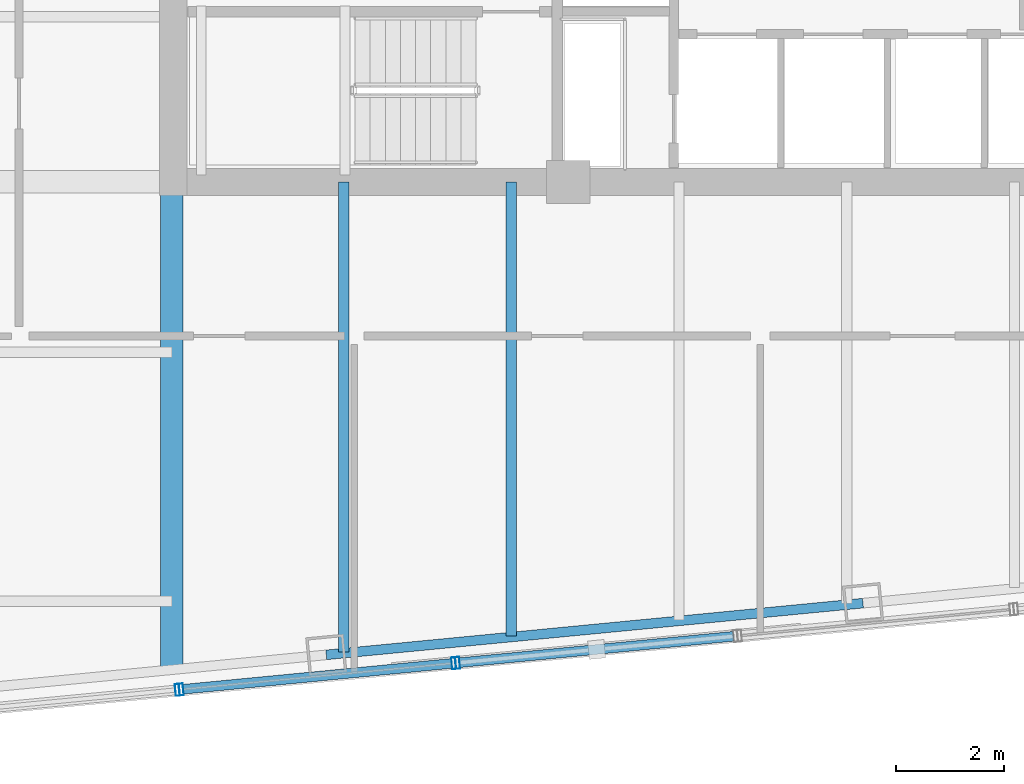
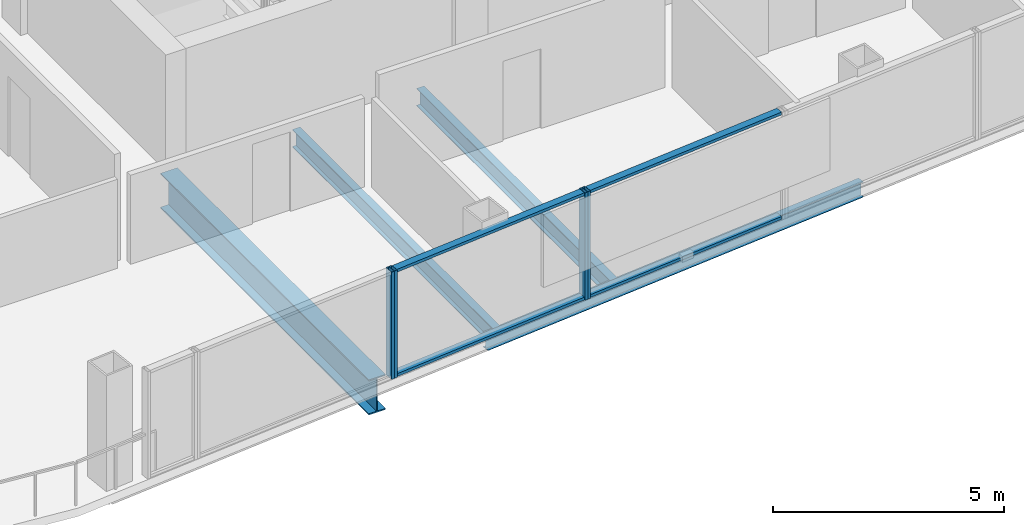
# One storey, part 4 of 29: 8 members, 4 beams, 3 elements without a shape of their own.
"""IFC4 building model written with IfcOpenShell, lengths in metres."""

import ifcopenshell
import ifcopenshell.guid

model = None  # the IFC model being written
_history = None  # IfcOwnerHistory: only IFC2X3 demands one
_inside = {}  # id of a spatial element -> (the spatial element, [elements in it])
_under = {}  # id of a project, library or spatial element -> (it, [spatial elements below it])
_declared = {}  # id of a project -> (the project, [libraries it declares])
_typed = {}  # id of a type object -> (the type object, [elements of that type])
_made_of = {}  # id of a material, layer set ... -> (it, [elements and type objects made of it])


def new_model(schema):
    """Start an empty IFC model of exactly this schema.

    Asked for "IFC4X3", IfcOpenShell would pick the latest addendum, in which some entities
    have other attributes; the version numbers below select the first issue.
    IFC2X3 requires an IfcOwnerHistory on every rooted entity: one is made here for all.
    """
    global model, _history
    if schema == "IFC4X3":
        model = ifcopenshell.file(schema_version=(4, 3, 0, 0))
    else:
        model = ifcopenshell.file(schema=schema)
    _inside.clear()
    _under.clear()
    _declared.clear()
    _typed.clear()
    _made_of.clear()
    _history = None
    if model.schema == "IFC2X3":
        org = make("IfcOrganization", Name="unknown")
        user = make(
            "IfcPersonAndOrganization",
            ThePerson=make("IfcPerson", FamilyName="unknown"),
            TheOrganization=org,
        )
        app = make(
            "IfcApplication",
            ApplicationDeveloper=org,
            Version="unknown",
            ApplicationFullName="unknown",
            ApplicationIdentifier="unknown",
        )
        _history = make(
            "IfcOwnerHistory",
            OwningUser=user,
            OwningApplication=app,
            ChangeAction="ADDED",
            CreationDate=0,
        )
    return model


def make(cls, **values):
    """One entity of the class cls with the attributes given. An attribute that is None is left unset."""
    return model.create_entity(
        cls, **{name: value for name, value in values.items() if value is not None}
    )


def rooted(cls, **values):
    """An entity with a GlobalId (a new one), such as an element, a storey or a relation."""
    return make(cls, GlobalId=ifcopenshell.guid.new(), OwnerHistory=_history, **values)


def si_unit(unit_type, name, prefix=None):
    """IfcSIUnit, for example si_unit("LENGTHUNIT", "METRE", prefix="MILLI")."""
    return make("IfcSIUnit", UnitType=unit_type, Prefix=prefix, Name=name)


def assignment(units):
    """IfcUnitAssignment: the units of a project."""
    return None if units is None else make("IfcUnitAssignment", Units=units)


def point(xyz):
    """IfcCartesianPoint."""
    return None if xyz is None else make("IfcCartesianPoint", Coordinates=xyz)


def direction(xyz):
    """IfcDirection."""
    return None if xyz is None else make("IfcDirection", DirectionRatios=xyz)


def frame(location, z_axis=None, x_axis=None):
    """IfcAxis2Placement3D, a coordinate frame: its origin and axes. An axis left out is left unset."""
    return make(
        "IfcAxis2Placement3D",
        Location=point(location),
        Axis=direction(z_axis),
        RefDirection=direction(x_axis),
    )


def frame_2d(location, x_axis=None):
    """IfcAxis2Placement2D, a coordinate frame in the plane: its origin and x axis."""
    return make(
        "IfcAxis2Placement2D", Location=point(location), RefDirection=direction(x_axis)
    )


def origin():
    """The frame at (0, 0, 0) with its axes left unset."""
    return frame((0.0, 0.0, 0.0))


def origin_2d():
    """The frame at (0, 0) in the plane with its x axis left unset."""
    return frame_2d((0.0, 0.0))


def place(relative_to, where):
    """IfcLocalPlacement: puts the frame where relative to a parent placement (None: the world)."""
    return make(
        "IfcLocalPlacement", PlacementRelTo=relative_to, RelativePlacement=where
    )


def context(
    kind, dimensions, precision=None, world=None, true_north=None, identifier=None
):
    """IfcGeometricRepresentationContext, for example the 3D "Model" context."""
    return make(
        "IfcGeometricRepresentationContext",
        ContextIdentifier=identifier,
        ContextType=kind,
        CoordinateSpaceDimension=dimensions,
        Precision=precision,
        WorldCoordinateSystem=world,
        TrueNorth=true_north,
    )


def subcontext(parent, identifier, kind, view, scale=None):
    """IfcGeometricRepresentationSubContext, for example "Body" below "Model"."""
    return make(
        "IfcGeometricRepresentationSubContext",
        ContextIdentifier=identifier,
        ContextType=kind,
        ParentContext=parent,
        TargetScale=scale,
        TargetView=view,
    )


def project(units=None, contexts=None):
    """IfcProject with its units and contexts."""
    return rooted(
        "IfcProject",
        Name="project",
        RepresentationContexts=contexts,
        UnitsInContext=assignment(units),
    )


def spatial(cls, under=None, at=None, **own):
    """A site, building, storey or space (cls), placed at a placement, below another one or the project."""
    s = rooted(cls, ObjectPlacement=at, **own)
    if under is not None:
        _under.setdefault(under.id(), (under, []))[1].append(s)
    return s


def profile(cls, at=None, kind="AREA", **sizes):
    """A parametric profile (cls). Its sizes go by their IFC names, for example OverallWidth=200.0."""
    return make(cls, ProfileType=kind, Position=at, **sizes)


def hollow_rectangle(**sizes):
    """IfcRectangleHollowProfileDef."""
    return profile("IfcRectangleHollowProfileDef", **sizes)


def i_section(**sizes):
    """IfcIShapeProfileDef."""
    return profile("IfcIShapeProfileDef", **sizes)


def extrude(swept, where, along, depth):
    """IfcExtrudedAreaSolid: the profile swept, set in the frame where, extruded along a direction by depth."""
    return make(
        "IfcExtrudedAreaSolid",
        SweptArea=swept,
        Position=where,
        ExtrudedDirection=direction(along),
        Depth=depth,
    )


def shape(context_of_items, identifier, shape_type, items):
    """IfcShapeRepresentation: the items that make up one representation, for example the "Body"."""
    return make(
        "IfcShapeRepresentation",
        ContextOfItems=context_of_items,
        RepresentationIdentifier=identifier,
        RepresentationType=shape_type,
        Items=items,
    )


def material(Name=None, Category=None):
    """IfcMaterial."""
    return make("IfcMaterial", Name=Name, Category=Category)


def layer(
    of_material, thickness, ventilated=None, Name=None, Category=None, Priority=None
):
    """IfcMaterialLayer: one layer of a wall or slab, of a material (None: an air gap)."""
    return make(
        "IfcMaterialLayer",
        Material=of_material,
        LayerThickness=thickness,
        IsVentilated=ventilated,
        Name=Name,
        Category=Category,
        Priority=Priority,
    )


def layer_set(layers, Name=None):
    """IfcMaterialLayerSet."""
    return make("IfcMaterialLayerSet", MaterialLayers=layers, LayerSetName=Name)


def material_profile(
    of_material, cross_section, Name=None, Category=None, Priority=None
):
    """IfcMaterialProfile: a cross section and its material."""
    return make(
        "IfcMaterialProfile",
        Name=Name,
        Material=of_material,
        Profile=cross_section,
        Priority=Priority,
        Category=Category,
    )


def profile_set(profiles, Name=None, composite=None):
    """IfcMaterialProfileSet."""
    return make(
        "IfcMaterialProfileSet",
        Name=Name,
        MaterialProfiles=profiles,
        CompositeProfile=composite,
    )


def made_of(thing, what):
    """Note that an element or type object is made of a material, layer set ...; save() writes the relation."""
    if what is not None:
        _made_of.setdefault(what.id(), (what, []))[1].append(thing)
    return thing


def type_object(cls, material=None, **own):
    """A type object (cls), such as IfcWallType, which elements share."""
    return made_of(rooted(cls, **own), material)


def element(
    cls,
    number,
    at=None,
    inside=None,
    cuts=None,
    type_object=None,
    material=None,
    context=None,
    identifier="Body",
    shape_type=None,
    held_by="IfcProductDefinitionShape",
    body=None,
    shapes=None,
    **own,
):
    """One element of the class cls, such as IfcWall. Its Tag is "e" and its number.

    at: its placement. inside: the storey or other place that contains it. cuts: it is an
    opening in that element (IfcRelVoidsElement). A single representation is given by context,
    identifier, shape_type and body (its items); several are given by shapes. held_by: the class
    of the entity that holds the representations. save() writes the other relations.
    """
    e = rooted(cls, Tag="e%d" % number, ObjectPlacement=at, **own)
    if body is not None:
        shapes = [shape(context, identifier, shape_type, body)]
    if shapes is not None:
        e.Representation = make(held_by, Representations=shapes)
    if inside is not None:
        _inside.setdefault(inside.id(), (inside, []))[1].append(e)
    if cuts is not None:
        rooted(
            "IfcRelVoidsElement", RelatingBuildingElement=cuts, RelatedOpeningElement=e
        )
    if type_object is not None:
        _typed.setdefault(type_object.id(), (type_object, []))[1].append(e)
    return made_of(e, material)


def aggregate(whole, parts):
    """IfcRelAggregates: a whole, such as a stair, and the parts it consists of."""
    return rooted("IfcRelAggregates", RelatingObject=whole, RelatedObjects=parts)


def save(model, path):
    """Write the relations noted so far, then the file.

    IfcRelAggregates (storeys below a building ...), IfcRelContainedInSpatialStructure (elements
    in a storey), IfcRelDefinesByType, IfcRelAssociatesMaterial and IfcRelDeclares: one each for
    every whole, place, type object, material and project.
    """
    for whole, parts in _under.values():
        aggregate(whole, parts)
    for where, things in _inside.values():
        rooted(
            "IfcRelContainedInSpatialStructure",
            RelatedElements=things,
            RelatingStructure=where,
        )
    for kind, things in _typed.values():
        rooted("IfcRelDefinesByType", RelatedObjects=things, RelatingType=kind)
    for what, things in _made_of.values():
        rooted("IfcRelAssociatesMaterial", RelatedObjects=things, RelatingMaterial=what)
    for by, libraries in _declared.values():
        rooted("IfcRelDeclares", RelatingContext=by, RelatedDefinitions=libraries)
    model.write(path)


model = new_model("IFC4")

# Units and contexts
model_context = context("Model", 3, precision=1e-05, world=origin(), true_north=direction((0.0, 1.0)))
body_context = subcontext(model_context, "Body", "Model", "MODEL_VIEW")
ifc_project = project(units=[si_unit("LENGTHUNIT", "METRE"), si_unit("AREAUNIT", "SQUARE_METRE"), si_unit("VOLUMEUNIT", "CUBIC_METRE"), si_unit("PLANEANGLEUNIT", "RADIAN"), si_unit("MASSUNIT", "GRAM", prefix="KILO")], contexts=[model_context])

# Site, building, storey
site_placement = place(None, origin())
site = spatial("IfcSite", under=ifc_project, at=site_placement, CompositionType="ELEMENT")
building_placement = place(site_placement, origin())
building = spatial("IfcBuilding", under=site, at=building_placement, Name="Qhalaya Broadcast Tower", CompositionType="ELEMENT")
storey_placement = place(building_placement, frame((0.0, 0.0, 177.5)))
storey = spatial("IfcBuildingStorey", under=building, at=storey_placement, Name="L52", CompositionType="ELEMENT", Elevation=177.5)

# Beams
ifc_material_1 = material(Name="Structural Steel ASTM A992 Grade 50", Category="steel")
ifc_material_profile_1 = material_profile(ifc_material_1, i_section(OverallWidth=0.19189453125, OverallDepth=0.462890625, WebThickness=0.010498046875, FlangeThickness=0.017578125, at=origin_2d()), Name="W18X60")
ifc_profile_set_1 = profile_set([ifc_material_profile_1], Name="Structural Steel ASTM A992 Grade 50")
beam_type_1 = type_object("IfcBeamType", Name="Composite Floor Joist J03", PredefinedType="JOIST", material=ifc_profile_set_1)
beam_1_placement = place(storey_placement, frame((-6.199951171875, -17.441650390625, -0.451416015625), z_axis=(0.0, 1.0, 0.0), x_axis=(-1.0, 0.0, 0.0)))
element("IfcBeam", 1, at=beam_1_placement, inside=storey, type_object=beam_type_1, Name="L52 J03 L52-JNS1-1", PredefinedType="JOIST", context=body_context, shape_type="SweptSolid", body=[
    extrude(i_section(OverallWidth=0.19189453125, OverallDepth=0.462890625, WebThickness=0.010498046875, FlangeThickness=0.017578125, at=origin_2d()), origin(), (0.0, 0.0, 1.0), 8.691650390625),
])
beam_2_placement = place(storey_placement, frame((-3.10009765625, -17.14306640625, -0.451416015625), z_axis=(0.0, 1.0, 0.0), x_axis=(-1.0, 0.0, 0.0)))
element("IfcBeam", 2, at=beam_2_placement, inside=storey, type_object=beam_type_1, Name="L52 J03 L52-JNS2-1", PredefinedType="JOIST", context=body_context, shape_type="SweptSolid", body=[
    extrude(i_section(OverallWidth=0.19189453125, OverallDepth=0.462890625, WebThickness=0.010498046875, FlangeThickness=0.017578125, at=origin_2d()), origin(), (0.0, 0.0, 1.0), 8.39306640625),
])
ifc_material_profile_2 = material_profile(ifc_material_1, i_section(OverallWidth=0.4189453125, OverallDepth=0.927001953125, WebThickness=0.019287109375, FlangeThickness=0.031982421875, at=origin_2d()), Name="W36X231")
ifc_profile_set_2 = profile_set([ifc_material_profile_2], Name="Structural Steel ASTM A992 Grade 50")
beam_type_2 = type_object("IfcBeamType", Name="Mid Block Primary Girder PG3", PredefinedType="USERDEFINED", material=ifc_profile_set_2)
beam_3_placement = place(storey_placement, frame((-9.375, -17.747314453125, -0.68359375), z_axis=(0.0, 1.0, 0.0), x_axis=(-1.0, 0.0, 0.0)))
element("IfcBeam", 3, at=beam_3_placement, inside=storey, type_object=beam_type_2, Name="L52 PG3 L52-PGXS1-1", ObjectType="GIRDER", PredefinedType="USERDEFINED", context=body_context, shape_type="SweptSolid", body=[
    extrude(i_section(OverallWidth=0.4189453125, OverallDepth=0.927001953125, WebThickness=0.019287109375, FlangeThickness=0.031982421875, at=origin_2d()), origin(), (0.0, 0.0, 1.0), 8.997314453125),
])

# Curtain wall, member
ifc_material_2 = material(Name="Fired Architectural Terracotta", Category="masonry")
ifc_layer_1 = layer(ifc_material_2, 0.219970703125, Name="Fired Architectural Terracotta")
ifc_layer_set_1 = layer_set([ifc_layer_1], Name="Fired Architectural Terracotta")
curtain_wall_type_1 = type_object("IfcCurtainWallType", Name="Block-Cap Unitised Terracotta Spandrel Wall CW-07", PredefinedType="NOTDEFINED", material=ifc_layer_set_1)
curtain_wall_1_placement = place(storey_placement, origin())
curtain_wall_1 = element("IfcCurtainWall", 4, at=curtain_wall_1_placement, inside=storey, type_object=curtain_wall_type_1, Name="L52 Unitised Curtain Wall L52-CW-S2", PredefinedType="NOTDEFINED")
ifc_material_3 = material(Name="Anodised Aluminium 6063-T6", Category="aluminium")
ifc_material_profile_3 = material_profile(ifc_material_3, hollow_rectangle(XDim=0.074951171875, YDim=0.219970703125, WallThickness=0.00390625, at=origin_2d()), Name="ALU-MUL 75x220x4")
ifc_profile_set_3 = profile_set([ifc_material_profile_3], Name="Anodised Aluminium 6063-T6")
member_type_1 = type_object("IfcMemberType", Name="Unitised Curtain-Wall Mullion M01", PredefinedType="MULLION", material=ifc_profile_set_3)
member_1_placement = place(storey_placement, frame((-9.275146484375, -18.139404296875, 0.0), z_axis=(0.0, 0.0, 1.0), x_axis=(0.995395267059, 0.095855424032, 0.0)))
member_1 = element("IfcMember", 5, at=member_1_placement, type_object=member_type_1, Name="CW-07 mullion 2", PredefinedType="MULLION", context=body_context, shape_type="SweptSolid", body=[
    extrude(hollow_rectangle(XDim=0.074951171875, YDim=0.219970703125, WallThickness=0.00390625, at=origin_2d()), origin(), (0.0, 0.0, 1.0), 2.830078125),
])
aggregate(curtain_wall_1, [member_1])

# Curtain wall, members
ifc_material_4 = material(Name="Solar-Control Low-E Triple Glazing", Category="glass")
ifc_layer_2 = layer(ifc_material_4, 0.219970703125, Name="Solar-Control Low-E Triple Glazing")
ifc_layer_set_2 = layer_set([ifc_layer_2], Name="Solar-Control Low-E Triple Glazing")
curtain_wall_type_2 = type_object("IfcCurtainWallType", Name="Even-Block 4-Storey Double-Module Curtain Wall CW-03", PredefinedType="NOTDEFINED", material=ifc_layer_set_2)
curtain_wall_2_placement = place(storey_placement, origin())
curtain_wall_2 = element("IfcCurtainWall", 6, at=curtain_wall_2_placement, inside=storey, type_object=curtain_wall_type_2, Name="L52 Unitised Curtain Wall L52-CW-S3", PredefinedType="NOTDEFINED")
member_2_placement = place(storey_placement, frame((-9.200439453125, -18.13232421875, 0.0), z_axis=(0.0, 0.0, 1.0), x_axis=(0.995395950784, 0.095848323733, 0.0)))
member_2 = element("IfcMember", 7, at=member_2_placement, type_object=member_type_1, Name="CW-03 mullion 1", PredefinedType="MULLION", context=body_context, shape_type="SweptSolid", body=[
    extrude(hollow_rectangle(XDim=0.074951171875, YDim=0.219970703125, WallThickness=0.00390625, at=origin_2d()), origin(), (0.0, 0.0, 1.0), 2.830078125),
])
member_3_placement = place(storey_placement, frame((-4.167724609375, -17.647705078125, 0.0), z_axis=(0.0, 0.0, 1.0), x_axis=(0.995395950784, 0.095848323733, 0.0)))
member_3 = element("IfcMember", 8, at=member_3_placement, type_object=member_type_1, Name="CW-03 mullion 2", PredefinedType="MULLION", context=body_context, shape_type="SweptSolid", body=[
    extrude(hollow_rectangle(XDim=0.074951171875, YDim=0.219970703125, WallThickness=0.00390625, at=origin_2d()), origin(), (0.0, 0.0, 1.0), 2.830078125),
])

# Curtain wall, member
curtain_wall_3_placement = place(storey_placement, origin())
curtain_wall_3 = element("IfcCurtainWall", 9, at=curtain_wall_3_placement, inside=storey, type_object=curtain_wall_type_1, Name="L52 Unitised Curtain Wall L52-CW-S4", PredefinedType="NOTDEFINED")
member_4_placement = place(storey_placement, frame((-4.093017578125, -17.640625, 0.0), z_axis=(0.0, 0.0, 1.0), x_axis=(0.995397089148, 0.095836500956, 0.0)))
member_4 = element("IfcMember", 10, at=member_4_placement, type_object=member_type_1, Name="CW-07 mullion 1", PredefinedType="MULLION", context=body_context, shape_type="SweptSolid", body=[
    extrude(hollow_rectangle(XDim=0.074951171875, YDim=0.219970703125, WallThickness=0.00390625, at=origin_2d()), origin(), (0.0, 0.0, 1.0), 2.830078125),
])

# Member
ifc_material_profile_4 = material_profile(ifc_material_3, hollow_rectangle(XDim=0.074951171875, YDim=0.179931640625, WallThickness=0.00390625, at=origin_2d()), Name="ALU-TRN 75x180x4")
ifc_profile_set_4 = profile_set([ifc_material_profile_4], Name="Anodised Aluminium 6063-T6")
member_type_2 = type_object("IfcMemberType", Name="Unitised Curtain-Wall Transom T01", PredefinedType="USERDEFINED", material=ifc_profile_set_4)
member_5_placement = place(storey_placement, frame((-9.1630859375, -18.128662109375, 0.03759765625), z_axis=(0.995398696338, 0.095819806556, 0.0), x_axis=(0.0, 0.0, 1.0)))
member_5 = element("IfcMember", 11, at=member_5_placement, type_object=member_type_2, Name="CW-03 transom 1.1", ObjectType="TRANSOM", PredefinedType="USERDEFINED", context=body_context, shape_type="SweptSolid", body=[
    extrude(hollow_rectangle(XDim=0.074951171875, YDim=0.179931640625, WallThickness=0.00390625, at=origin_2d()), origin(), (0.0, 0.0, 1.0), 4.981201171875),
])

member_6_placement = place(storey_placement, frame((-9.1630859375, -18.128662109375, 2.79248046875), z_axis=(0.995398696338, 0.095819806556, 0.0), x_axis=(0.0, 0.0, 1.0)))
member_6 = element("IfcMember", 12, at=member_6_placement, type_object=member_type_2, Name="CW-03 transom 1.2", ObjectType="TRANSOM", PredefinedType="USERDEFINED", context=body_context, shape_type="SweptSolid", body=[
    extrude(hollow_rectangle(XDim=0.074951171875, YDim=0.179931640625, WallThickness=0.00390625, at=origin_2d()), origin(), (0.0, 0.0, 1.0), 4.981201171875),
])

aggregate(curtain_wall_2, [member_2, member_3, member_5, member_6])

member_7_placement = place(storey_placement, frame((-4.0556640625, -17.636962890625, 0.03759765625), z_axis=(0.995394593967, 0.095862413395, 0.0), x_axis=(0.0, 0.0, 1.0)))
member_7 = element("IfcMember", 13, at=member_7_placement, type_object=member_type_2, Name="CW-07 transom 1.1", ObjectType="TRANSOM", PredefinedType="USERDEFINED", context=body_context, shape_type="SweptSolid", body=[
    extrude(hollow_rectangle(XDim=0.074951171875, YDim=0.179931640625, WallThickness=0.00390625, at=origin_2d()), origin(), (0.0, 0.0, 1.0), 5.0859375),
])

member_8_placement = place(storey_placement, frame((-4.0556640625, -17.636962890625, 2.79248046875), z_axis=(0.995394593967, 0.095862413395, 0.0), x_axis=(0.0, 0.0, 1.0)))
member_8 = element("IfcMember", 14, at=member_8_placement, type_object=member_type_2, Name="CW-07 transom 1.2", ObjectType="TRANSOM", PredefinedType="USERDEFINED", context=body_context, shape_type="SweptSolid", body=[
    extrude(hollow_rectangle(XDim=0.074951171875, YDim=0.179931640625, WallThickness=0.00390625, at=origin_2d()), origin(), (0.0, 0.0, 1.0), 5.0859375),
])

aggregate(curtain_wall_3, [member_4, member_7, member_8])

# Beam
ifc_material_profile_5 = material_profile(ifc_material_1, i_section(OverallWidth=0.177978515625, OverallDepth=0.406005859375, WebThickness=0.0078125, FlangeThickness=0.0126953125, at=origin_2d()), Name="W16X40")
ifc_profile_set_5 = profile_set([ifc_material_profile_5], Name="Structural Steel ASTM A992 Grade 50")
beam_type_3 = type_object("IfcBeamType", Name="Upper Perimeter Spandrel Beam SP2", PredefinedType="SPANDREL", material=ifc_profile_set_5)
beam_4_placement = place(storey_placement, frame((-6.521240234375, -17.49267578125, -0.423095703125), z_axis=(0.99539573508, 0.095850563819, 0.0), x_axis=(-0.095850563819, 0.99539573508, 0.0)))
element("IfcBeam", 15, at=beam_4_placement, inside=storey, type_object=beam_type_3, Name="L52 SP2 L52-SPR-02", PredefinedType="SPANDREL", context=body_context, shape_type="SweptSolid", body=[
    extrude(i_section(OverallWidth=0.177978515625, OverallDepth=0.406005859375, WebThickness=0.0078125, FlangeThickness=0.0126953125, at=origin_2d()), origin(), (0.0, 0.0, 1.0), 9.966796875),
])

save(model, "model.ifc")
